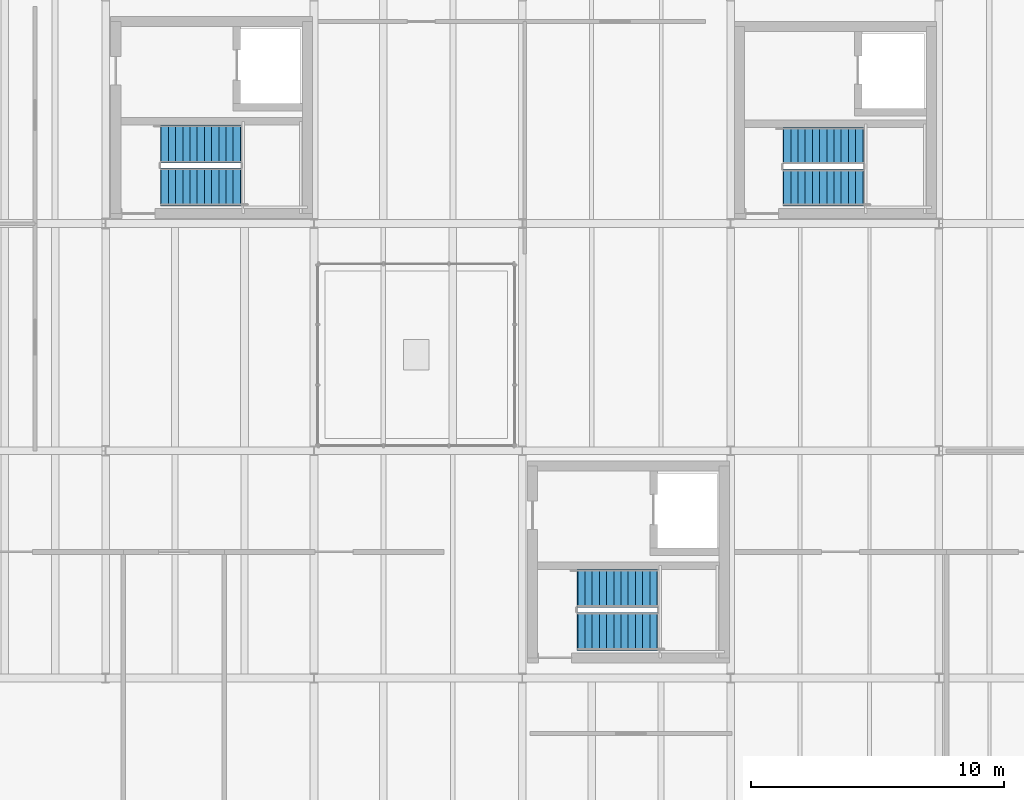
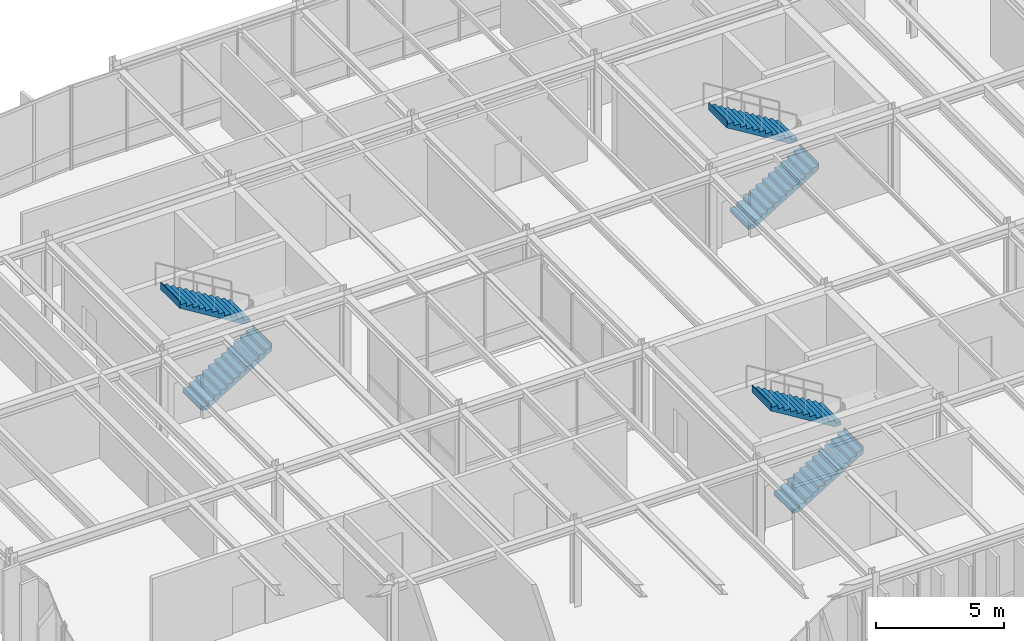
# One storey, part 25 of 31: 6 stair flights, 3 elements without a shape of their own.
"""IFC4 building model written with IfcOpenShell, lengths in metres."""

from ifc_helpers import new_model, si_unit, direction, frame, origin, place, context, subcontext, project, spatial, polyline, outline, extrude, material, type_object, element, aggregate, save


model = new_model("IFC4")

# Units and contexts
model_context = context("Model", 3, precision=1e-05, world=origin(), true_north=direction((0.0, 1.0)))
body_context = subcontext(model_context, "Body", "Model", "MODEL_VIEW")
ifc_project = project(units=[si_unit("LENGTHUNIT", "METRE"), si_unit("AREAUNIT", "SQUARE_METRE"), si_unit("VOLUMEUNIT", "CUBIC_METRE"), si_unit("PLANEANGLEUNIT", "RADIAN"), si_unit("MASSUNIT", "GRAM", prefix="KILO")], contexts=[model_context])

# Site, building, storey
site_placement = place(None, origin())
site = spatial("IfcSite", under=ifc_project, at=site_placement, CompositionType="ELEMENT")
building_placement = place(site_placement, origin())
building = spatial("IfcBuilding", under=site, at=building_placement, Name="Montealbar Specialist Clinic", CompositionType="ELEMENT")
storey_placement = place(building_placement, frame((0.0, 0.0, 13.800048828125)))
storey = spatial("IfcBuildingStorey", under=building, at=storey_placement, Name="L03", CompositionType="ELEMENT", Elevation=13.800048828125)

# Stair, stair flights
ifc_material = material(Name="Concrete C35/45", Category="concrete")
stair_type_1 = type_object("IfcStairType", Name="STAIR-HT-07", PredefinedType="HALF_TURN_STAIR", material=ifc_material)
stair_1_placement = place(storey_placement, origin())
stair_1 = element("IfcStair", 1, at=stair_1_placement, inside=storey, type_object=stair_type_1, Name="L03 Protected Exit Stair Core C3", PredefinedType="HALF_TURN_STAIR")
stair_flight_type_1 = type_object("IfcStairFlightType", Name="FLIGHT-HT-07", PredefinedType="STRAIGHT", material=ifc_material)
stair_flight_1_placement = place(storey_placement, frame((68.199951171875, 28.449951171875, 0.0), z_axis=(0.0, 0.0, 1.0), x_axis=(1.0, 0.0, 0.0)))
stair_flight_1 = element("IfcStairFlight", 2, at=stair_flight_1_placement, type_object=stair_flight_type_1, Name="ST-03 flight 1", NumberOfRisers=12, NumberOfTreads=11, PredefinedType="STRAIGHT", RiserHeight=0.175, TreadLength=0.285, context=body_context, shape_type="SweptSolid", body=[
    extrude(outline(polyline([(-0.02490234375, 0.0), (-0.02490234375, 0.0400390625), (0.0, 0.0400390625), (0.0, 0.175048828125), (0.284912109375, 0.175048828125), (0.284912109375, 0.35009765625), (0.570068359375, 0.35009765625), (0.570068359375, 0.52490234375), (0.85498046875, 0.52490234375), (0.85498046875, 0.699951171875), (1.139892578125, 0.699951171875), (1.139892578125, 0.875), (1.425048828125, 0.875), (1.425048828125, 1.050048828125), (1.7099609375, 1.050048828125), (1.7099609375, 1.22509765625), (1.9951171875, 1.22509765625), (1.9951171875, 1.39990234375), (2.280029296875, 1.39990234375), (2.280029296875, 1.574951171875), (2.56494140625, 1.574951171875), (2.56494140625, 1.75), (2.85009765625, 1.75), (2.85009765625, 1.925048828125), (3.135009765625, 1.925048828125), (3.135009765625, 2.10009765625), (3.159912109375, 2.10009765625), (3.159912109375, 1.7490234375), (3.135009765625, 1.7490234375), (0.286376953125, 0.0), (-0.02490234375, 0.0)])), frame((0.0, 0.75, 0.0), z_axis=(0.0, -1.0, 0.0), x_axis=(1.0, 0.0, 0.0)), (0.0, 0.0, 1.0), 1.5),
])
stair_flight_2_placement = place(storey_placement, frame((71.3349609375, 30.14990234375, 2.099853515625), z_axis=(0.0, 0.0, 1.0), x_axis=(-1.0, 0.0, 0.0)))
stair_flight_2 = element("IfcStairFlight", 3, at=stair_flight_2_placement, type_object=stair_flight_type_1, Name="ST-03 flight 2", NumberOfRisers=12, NumberOfTreads=11, PredefinedType="STRAIGHT", RiserHeight=0.175, TreadLength=0.285, context=body_context, shape_type="SweptSolid", body=[
    extrude(outline(polyline([(-0.02490234375, 0.0), (-0.02490234375, 0.0400390625), (0.0, 0.0400390625), (0.0, 0.175048828125), (0.284912109375, 0.175048828125), (0.284912109375, 0.35009765625), (0.570068359375, 0.35009765625), (0.570068359375, 0.52490234375), (0.85498046875, 0.52490234375), (0.85498046875, 0.699951171875), (1.139892578125, 0.699951171875), (1.139892578125, 0.875), (1.425048828125, 0.875), (1.425048828125, 1.050048828125), (1.7099609375, 1.050048828125), (1.7099609375, 1.22509765625), (1.9951171875, 1.22509765625), (1.9951171875, 1.39990234375), (2.280029296875, 1.39990234375), (2.280029296875, 1.574951171875), (2.56494140625, 1.574951171875), (2.56494140625, 1.75), (2.85009765625, 1.75), (2.85009765625, 1.925048828125), (3.135009765625, 1.925048828125), (3.135009765625, 2.10009765625), (3.159912109375, 2.10009765625), (3.159912109375, 1.7490234375), (3.135009765625, 1.7490234375), (0.286376953125, 0.0), (-0.02490234375, 0.0)])), frame((0.0, 0.75, 0.0), z_axis=(0.0, -1.0, 0.0), x_axis=(1.0, 0.0, 0.0)), (0.0, 0.0, 1.0), 1.5),
])
aggregate(stair_1, [stair_flight_1, stair_flight_2])

stair_2_placement = place(storey_placement, origin())
stair_2 = element("IfcStair", 4, at=stair_2_placement, inside=storey, type_object=stair_type_1, Name="L03 Protected Exit Stair Core C4", PredefinedType="HALF_TURN_STAIR")
stair_flight_3_placement = place(storey_placement, frame((84.699951171875, 10.85009765625, 0.0), z_axis=(0.0, 0.0, 1.0), x_axis=(1.0, 0.0, 0.0)))
stair_flight_3 = element("IfcStairFlight", 5, at=stair_flight_3_placement, type_object=stair_flight_type_1, Name="ST-04 flight 1", NumberOfRisers=12, NumberOfTreads=11, PredefinedType="STRAIGHT", RiserHeight=0.175, TreadLength=0.285, context=body_context, shape_type="SweptSolid", body=[
    extrude(outline(polyline([(-0.02490234375, 0.0), (-0.02490234375, 0.0400390625), (0.0, 0.0400390625), (0.0, 0.175048828125), (0.284912109375, 0.175048828125), (0.284912109375, 0.35009765625), (0.570068359375, 0.35009765625), (0.570068359375, 0.52490234375), (0.85498046875, 0.52490234375), (0.85498046875, 0.699951171875), (1.139892578125, 0.699951171875), (1.139892578125, 0.875), (1.425048828125, 0.875), (1.425048828125, 1.050048828125), (1.7099609375, 1.050048828125), (1.7099609375, 1.22509765625), (1.9951171875, 1.22509765625), (1.9951171875, 1.39990234375), (2.280029296875, 1.39990234375), (2.280029296875, 1.574951171875), (2.56494140625, 1.574951171875), (2.56494140625, 1.75), (2.85009765625, 1.75), (2.85009765625, 1.925048828125), (3.135009765625, 1.925048828125), (3.135009765625, 2.10009765625), (3.159912109375, 2.10009765625), (3.159912109375, 1.7490234375), (3.135009765625, 1.7490234375), (0.286376953125, 0.0), (-0.02490234375, 0.0)])), frame((0.0, 0.75, 0.0), z_axis=(0.0, -1.0, 0.0), x_axis=(1.0, 0.0, 0.0)), (0.0, 0.0, 1.0), 1.5),
])
stair_flight_4_placement = place(storey_placement, frame((87.8349609375, 12.550048828125, 2.099853515625), z_axis=(0.0, 0.0, 1.0), x_axis=(-1.0, 0.0, 0.0)))
stair_flight_4 = element("IfcStairFlight", 6, at=stair_flight_4_placement, type_object=stair_flight_type_1, Name="ST-04 flight 2", NumberOfRisers=12, NumberOfTreads=11, PredefinedType="STRAIGHT", RiserHeight=0.175, TreadLength=0.285, context=body_context, shape_type="SweptSolid", body=[
    extrude(outline(polyline([(-0.02490234375, 0.0), (-0.02490234375, 0.0400390625), (0.0, 0.0400390625), (0.0, 0.175048828125), (0.284912109375, 0.175048828125), (0.284912109375, 0.35009765625), (0.570068359375, 0.35009765625), (0.570068359375, 0.52490234375), (0.85498046875, 0.52490234375), (0.85498046875, 0.699951171875), (1.139892578125, 0.699951171875), (1.139892578125, 0.875), (1.425048828125, 0.875), (1.425048828125, 1.050048828125), (1.7099609375, 1.050048828125), (1.7099609375, 1.22509765625), (1.9951171875, 1.22509765625), (1.9951171875, 1.39990234375), (2.280029296875, 1.39990234375), (2.280029296875, 1.574951171875), (2.56494140625, 1.574951171875), (2.56494140625, 1.75), (2.85009765625, 1.75), (2.85009765625, 1.925048828125), (3.135009765625, 1.925048828125), (3.135009765625, 2.10009765625), (3.159912109375, 2.10009765625), (3.159912109375, 1.7490234375), (3.135009765625, 1.7490234375), (0.286376953125, 0.0), (-0.02490234375, 0.0)])), frame((0.0, 0.75, 0.0), z_axis=(0.0, -1.0, 0.0), x_axis=(1.0, 0.0, 0.0)), (0.0, 0.0, 1.0), 1.5),
])
aggregate(stair_2, [stair_flight_3, stair_flight_4])

stair_type_2 = type_object("IfcStairType", Name="STAIR-HT-08", PredefinedType="HALF_TURN_STAIR", material=ifc_material)
stair_3_placement = place(storey_placement, origin())
stair_3 = element("IfcStair", 7, at=stair_3_placement, inside=storey, type_object=stair_type_2, Name="L03 Protected Exit Stair Core C5", PredefinedType="HALF_TURN_STAIR")
stair_flight_type_2 = type_object("IfcStairFlightType", Name="FLIGHT-HT-08", PredefinedType="STRAIGHT", material=ifc_material)
stair_flight_5_placement = place(storey_placement, frame((92.85009765625, 28.425048828125, 0.0), z_axis=(0.0, 0.0, 1.0), x_axis=(1.0, 0.0, 0.0)))
stair_flight_5 = element("IfcStairFlight", 8, at=stair_flight_5_placement, type_object=stair_flight_type_2, Name="ST-05 flight 1", NumberOfRisers=12, NumberOfTreads=11, PredefinedType="STRAIGHT", RiserHeight=0.175, TreadLength=0.285, context=body_context, shape_type="SweptSolid", body=[
    extrude(outline(polyline([(-0.02490234375, 0.0), (-0.02490234375, 0.0400390625), (0.0, 0.0400390625), (0.0, 0.175048828125), (0.284912109375, 0.175048828125), (0.284912109375, 0.35009765625), (0.570068359375, 0.35009765625), (0.570068359375, 0.52490234375), (0.85498046875, 0.52490234375), (0.85498046875, 0.699951171875), (1.139892578125, 0.699951171875), (1.139892578125, 0.875), (1.425048828125, 0.875), (1.425048828125, 1.050048828125), (1.7099609375, 1.050048828125), (1.7099609375, 1.22509765625), (1.9951171875, 1.22509765625), (1.9951171875, 1.39990234375), (2.280029296875, 1.39990234375), (2.280029296875, 1.574951171875), (2.56494140625, 1.574951171875), (2.56494140625, 1.75), (2.85009765625, 1.75), (2.85009765625, 1.925048828125), (3.135009765625, 1.925048828125), (3.135009765625, 2.10009765625), (3.159912109375, 2.10009765625), (3.159912109375, 1.7490234375), (3.135009765625, 1.7490234375), (0.286376953125, 0.0), (-0.02490234375, 0.0)])), frame((0.0, 0.72509765625, 0.0), z_axis=(0.0, -1.0, 0.0), x_axis=(1.0, 0.0, 0.0)), (0.0, 0.0, 1.0), 1.449951171875),
])
stair_flight_6_placement = place(storey_placement, frame((95.985107421875, 30.074951171875, 2.099853515625), z_axis=(0.0, 0.0, 1.0), x_axis=(-1.0, 0.0, 0.0)))
stair_flight_6 = element("IfcStairFlight", 9, at=stair_flight_6_placement, type_object=stair_flight_type_2, Name="ST-05 flight 2", NumberOfRisers=12, NumberOfTreads=11, PredefinedType="STRAIGHT", RiserHeight=0.175, TreadLength=0.285, context=body_context, shape_type="SweptSolid", body=[
    extrude(outline(polyline([(-0.02490234375, 0.0), (-0.02490234375, 0.0400390625), (0.0, 0.0400390625), (0.0, 0.175048828125), (0.284912109375, 0.175048828125), (0.284912109375, 0.35009765625), (0.570068359375, 0.35009765625), (0.570068359375, 0.52490234375), (0.85498046875, 0.52490234375), (0.85498046875, 0.699951171875), (1.139892578125, 0.699951171875), (1.139892578125, 0.875), (1.425048828125, 0.875), (1.425048828125, 1.050048828125), (1.7099609375, 1.050048828125), (1.7099609375, 1.22509765625), (1.9951171875, 1.22509765625), (1.9951171875, 1.39990234375), (2.280029296875, 1.39990234375), (2.280029296875, 1.574951171875), (2.56494140625, 1.574951171875), (2.56494140625, 1.75), (2.85009765625, 1.75), (2.85009765625, 1.925048828125), (3.135009765625, 1.925048828125), (3.135009765625, 2.10009765625), (3.159912109375, 2.10009765625), (3.159912109375, 1.7490234375), (3.135009765625, 1.7490234375), (0.286376953125, 0.0), (-0.02490234375, 0.0)])), frame((0.0, 0.72509765625, 0.0), z_axis=(0.0, -1.0, 0.0), x_axis=(1.0, 0.0, 0.0)), (0.0, 0.0, 1.0), 1.449951171875),
])
aggregate(stair_3, [stair_flight_5, stair_flight_6])

save(model, "model.ifc")
